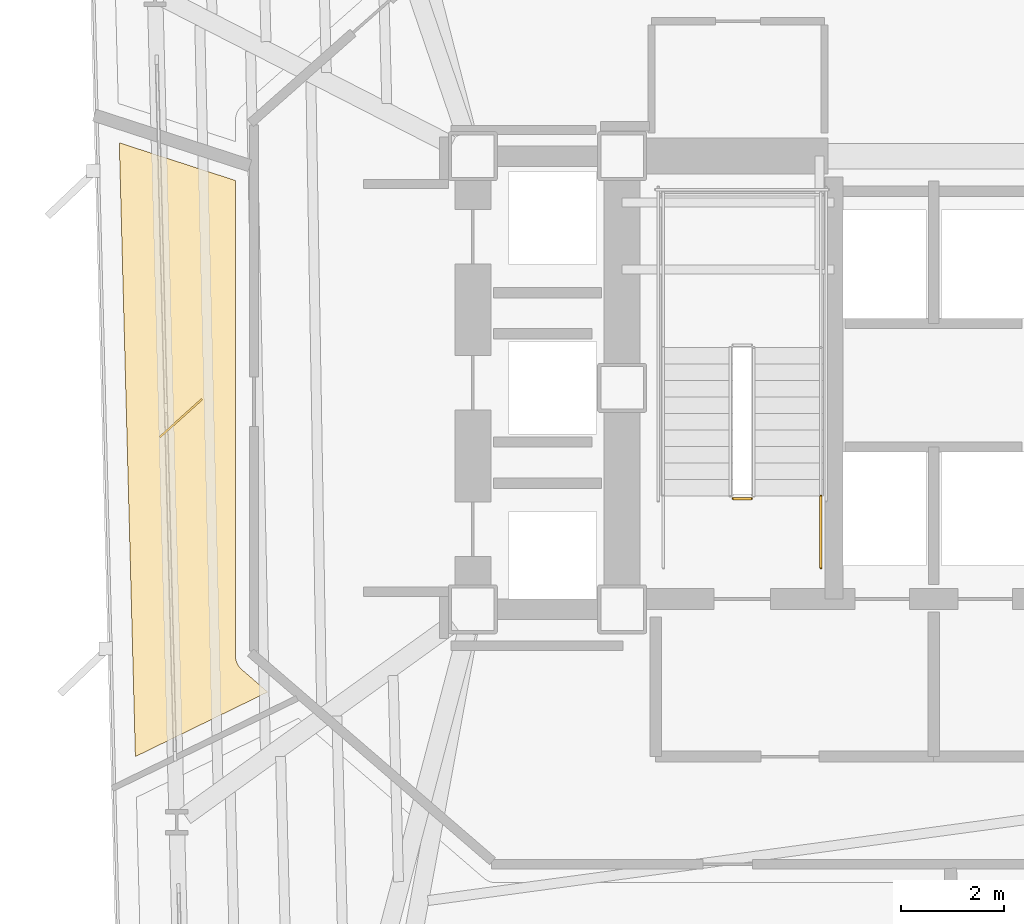
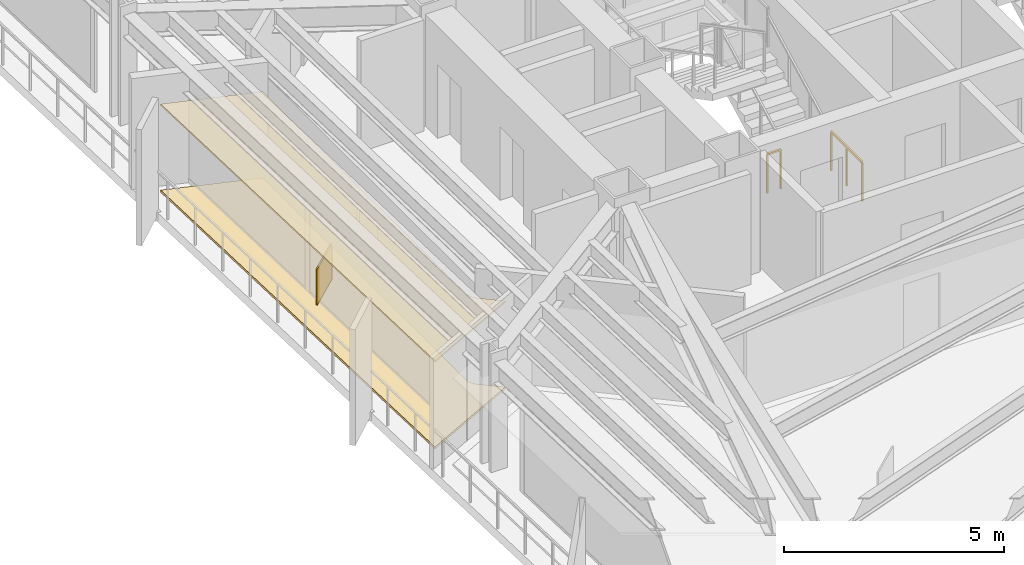
# One storey, part 11 of 14: 3 coverings, 2 railings.
"""IFC4 building model written with IfcOpenShell, lengths in metres."""

from ifc_helpers import new_model, si_unit, direction, frame, origin, origin_2d, place, context, subcontext, project, spatial, polyline, rectangle, outline, extrude, material, layer, layer_set, type_object, element, save


model = new_model("IFC4")

# Units and contexts
model_context = context("Model", 3, precision=1e-05, world=origin(), true_north=direction((0.0, 1.0)))
body_context = subcontext(model_context, "Body", "Model", "MODEL_VIEW")
ifc_project = project(units=[si_unit("LENGTHUNIT", "METRE"), si_unit("AREAUNIT", "SQUARE_METRE"), si_unit("VOLUMEUNIT", "CUBIC_METRE"), si_unit("PLANEANGLEUNIT", "RADIAN"), si_unit("MASSUNIT", "GRAM", prefix="KILO")], contexts=[model_context])

# Site, building, storey
site_placement = place(None, origin())
site = spatial("IfcSite", under=ifc_project, at=site_placement, CompositionType="ELEMENT")
building_placement = place(site_placement, origin())
building = spatial("IfcBuilding", under=site, at=building_placement, Name="Rocaltana Carrier Exchange", CompositionType="ELEMENT")
storey_placement = place(building_placement, frame((0.0, 0.0, 22.239990234375)))
storey = spatial("IfcBuildingStorey", under=building, at=storey_placement, Name="L07", CompositionType="ELEMENT", Elevation=22.239990234375)

# Coverings
ifc_material_1 = material(Name="Calcium Sulphate & Aluminium Pedestal", Category="aluminium")
ifc_layer_1 = layer(ifc_material_1, 0.06005859375)
ifc_layer_set_1 = layer_set([ifc_layer_1], Name="Calcium Sulphate & Aluminium Pedestal")
covering_type_1 = type_object("IfcCoveringType", Name="Anti-Static Raised Exchange Access Floor 60", PredefinedType="FLOORING", material=ifc_layer_set_1)
covering_1_placement = place(storey_placement, origin())
element("IfcCovering", 1, at=covering_1_placement, inside=storey, type_object=covering_type_1, Name="L07 Cloud Architecture Office Finish Floor", PredefinedType="FLOORING", context=body_context, shape_type="SweptSolid", body=[
    extrude(outline(polyline([(-15.81591796875, 4.76025390625), (-13.56005859375, 4.02734375), (-13.56005859375, -5.199951171875), (-13.559814453125, -5.21337890625), (-13.559326171875, -5.220947265625), (-13.556884765625, -5.24755859375), (-13.5556640625, -5.255126953125), (-13.550537109375, -5.281494140625), (-13.548828125, -5.288818359375), (-13.541259765625, -5.314453125), (-13.538818359375, -5.32177734375), (-13.52880859375, -5.346435546875), (-13.525634765625, -5.353515625), (-13.51318359375, -5.377197265625), (-13.509521484375, -5.3837890625), (-13.4951171875, -5.40625), (-13.490478515625, -5.41259765625), (-13.47412109375, -5.433349609375), (-13.468994140625, -5.439208984375), (-13.450439453125, -5.45849609375), (-13.44482421875, -5.4638671875), (-13.43505859375, -5.47265625), (-12.931396484375, -5.906494140625), (-15.503662109375, -7.1611328125), (-15.81591796875, 4.76025390625)])), origin(), (0.0, 0.0, 1.0), 0.06005859375),
])
ifc_material_2 = material(Name="Mineral Fibre & Powder-Coated Aluminium", Category="aluminium")
ifc_layer_2 = layer(ifc_material_2, 0.044921875)
ifc_layer_set_2 = layer_set([ifc_layer_2], Name="Mineral Fibre & Powder-Coated Aluminium")
covering_type_2 = type_object("IfcCoveringType", Name="Micro-Perforated Acoustic Ceiling 45", PredefinedType="CEILING", material=ifc_layer_set_2)
covering_2_placement = place(storey_placement, frame((0.0, 0.0, 2.403076171875)))
element("IfcCovering", 2, at=covering_2_placement, inside=storey, type_object=covering_type_2, Name="L07 Cloud Architecture Office Acoustic Ceiling", PredefinedType="CEILING", context=body_context, shape_type="SweptSolid", body=[
    extrude(outline(polyline([(-15.81591796875, 4.76025390625), (-13.56005859375, 4.02734375), (-13.56005859375, -5.199951171875), (-13.559814453125, -5.21337890625), (-13.559326171875, -5.220947265625), (-13.556884765625, -5.24755859375), (-13.5556640625, -5.255126953125), (-13.550537109375, -5.281494140625), (-13.548828125, -5.288818359375), (-13.541259765625, -5.314453125), (-13.538818359375, -5.32177734375), (-13.52880859375, -5.346435546875), (-13.525634765625, -5.353515625), (-13.51318359375, -5.377197265625), (-13.509521484375, -5.3837890625), (-13.4951171875, -5.40625), (-13.490478515625, -5.41259765625), (-13.47412109375, -5.433349609375), (-13.468994140625, -5.439208984375), (-13.450439453125, -5.45849609375), (-13.44482421875, -5.4638671875), (-13.43505859375, -5.47265625), (-12.931396484375, -5.906494140625), (-15.503662109375, -7.1611328125), (-15.81591796875, 4.76025390625)])), origin(), (0.0, 0.0, 1.0), 0.044921875),
])

# Railings
ifc_material_3 = material(Name="Powder-Coated Aluminium 6063-T6", Category="aluminium")
ifc_layer_3 = layer(ifc_material_3, 0.048095703125)
ifc_layer_set_3 = layer_set([ifc_layer_3], Name="Powder-Coated Aluminium 6063-T6")
railing_type = type_object("IfcRailingType", Name="Stair Well Guardrail 1100", PredefinedType="GUARDRAIL", material=ifc_layer_set_3)
railing_1_placement = place(storey_placement, frame((-3.5400390625, -2.14990234375, 0.0)))
element("IfcRailing", 3, at=railing_1_placement, inside=storey, type_object=railing_type, Name="L07 ST-1 stair guard 7", PredefinedType="GUARDRAIL", context=body_context, shape_type="SweptSolid", body=[
    extrude(rectangle(XDim=0.048095703125, YDim=0.048095703125, at=origin_2d()), frame((0.0, 0.0, 1.076171875), z_axis=(-1.0, 0.0, 0.0), x_axis=(0.0, -1.0, 0.0)), (0.0, 0.0, 1.0), 0.35986328125),
    extrude(rectangle(XDim=0.0419921875, YDim=0.0419921875, at=origin_2d()), origin(), (0.0, 0.0, 1.0), 1.052001953125),
    extrude(rectangle(XDim=0.0419921875, YDim=0.0419921875, at=origin_2d()), frame((-0.35986328125, 0.0, 0.0)), (0.0, 0.0, 1.0), 1.052001953125),
])
railing_2_placement = place(storey_placement, frame((-2.18994140625, -3.5, 0.0)))
element("IfcRailing", 4, at=railing_2_placement, inside=storey, type_object=railing_type, Name="L07 ST-1 stair guard 8", PredefinedType="GUARDRAIL", context=body_context, shape_type="SweptSolid", body=[
    extrude(rectangle(XDim=0.048095703125, YDim=0.048095703125, at=origin_2d()), frame((0.0, 0.0, 1.076171875), z_axis=(0.0, 1.0, 0.0), x_axis=(-1.0, 0.0, 0.0)), (0.0, 0.0, 1.0), 1.39990234375),
    extrude(rectangle(XDim=0.0419921875, YDim=0.0419921875, at=origin_2d()), origin(), (0.0, 0.0, 1.0), 1.052001953125),
    extrude(rectangle(XDim=0.0419921875, YDim=0.0419921875, at=origin_2d()), frame((0.0, 0.699951171875, 0.0)), (0.0, 0.0, 1.0), 1.052001953125),
    extrude(rectangle(XDim=0.0419921875, YDim=0.0419921875, at=origin_2d()), frame((0.0, 1.39990234375, 0.0)), (0.0, 0.0, 1.0), 1.052001953125),
])

# Covering
ifc_material_4 = material(Name="Honed Piedra Muneca Sandstone", Category="masonry")
ifc_layer_4 = layer(ifc_material_4, 0.034912109375)
ifc_layer_set_4 = layer_set([ifc_layer_4], Name="Honed Piedra Muneca Sandstone")
covering_type_3 = type_object("IfcCoveringType", Name="Stone Facade Cladding 35", PredefinedType="CLADDING", material=ifc_layer_set_4)
covering_3_placement = place(storey_placement, frame((-14.617919921875, -0.586181640625, 0.0), z_axis=(0.0, 0.0, 1.0), x_axis=(0.743144825477, 0.669130606359, 0.0)))
element("IfcCovering", 5, at=covering_3_placement, inside=storey, type_object=covering_type_3, Name="L07 Stone Facade Cladding Panel 1", PredefinedType="CLADDING", context=body_context, shape_type="SweptSolid", body=[
    extrude(rectangle(XDim=1.10009765625, YDim=0.034912109375, at=origin_2d()), origin(), (0.0, 0.0, 1.0), 1.050048828125),
])

save(model, "model.ifc")
